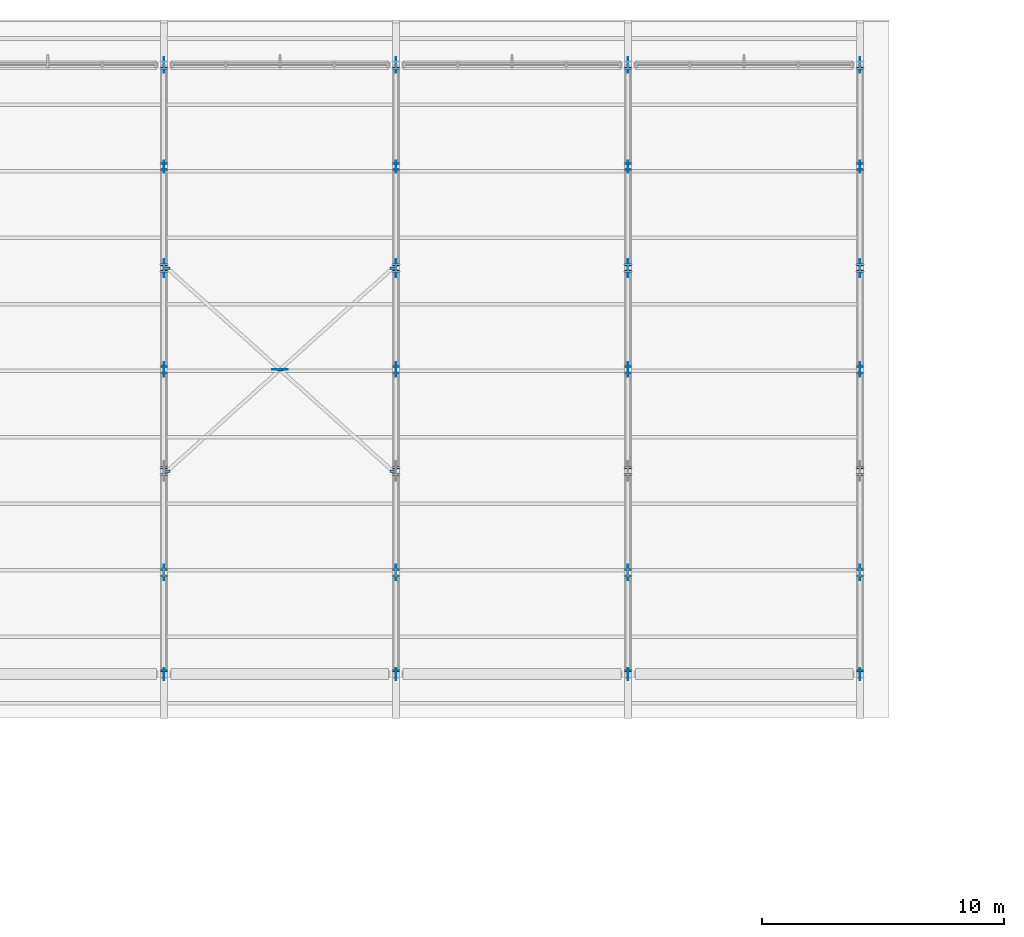
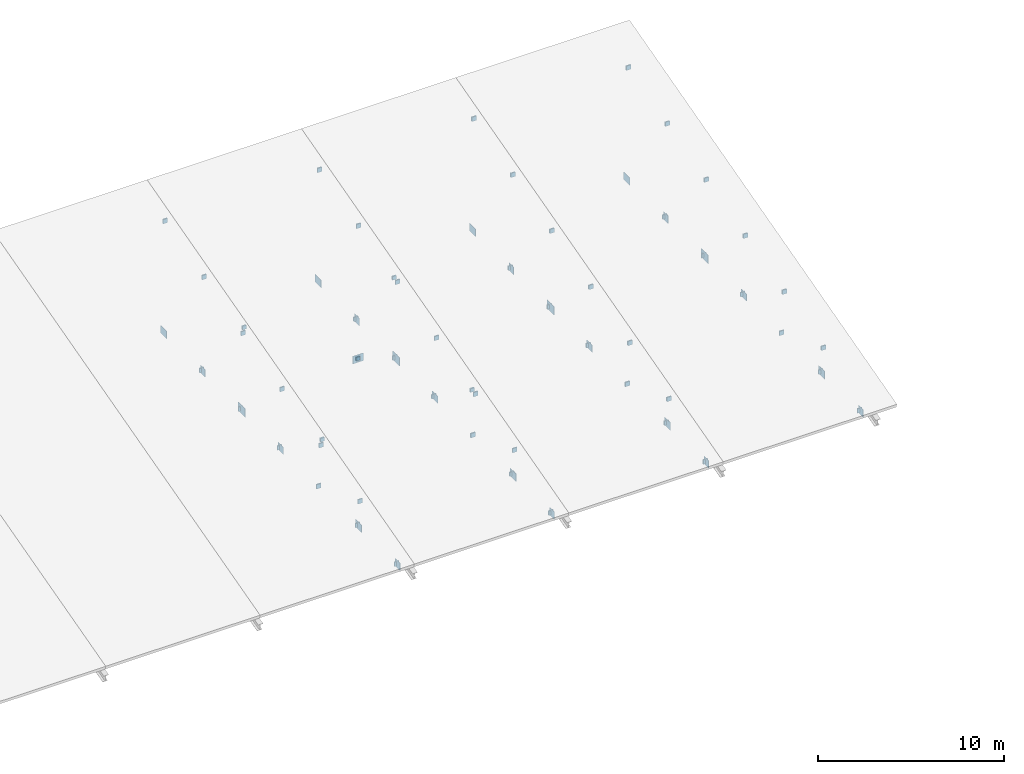
# One storey, part 25 of 37: 79 plates.
"""IFC4 building model written with IfcOpenShell, lengths in metres."""

from ifc_helpers import new_model, si_unit, direction, frame, origin, origin_2d, place, context, subcontext, project, spatial, rectangle, extrude, material, layer, layer_set, type_object, element, save


model = new_model("IFC4")

# Units and contexts
model_context = context("Model", 3, precision=1e-05, world=origin(), true_north=direction((0.0, 1.0)))
body_context = subcontext(model_context, "Body", "Model", "MODEL_VIEW")
ifc_project = project(units=[si_unit("LENGTHUNIT", "METRE"), si_unit("AREAUNIT", "SQUARE_METRE"), si_unit("VOLUMEUNIT", "CUBIC_METRE"), si_unit("PLANEANGLEUNIT", "RADIAN"), si_unit("MASSUNIT", "GRAM", prefix="KILO")], contexts=[model_context])

# Site, building, storey
site_placement = place(None, origin())
site = spatial("IfcSite", under=ifc_project, at=site_placement, CompositionType="ELEMENT")
building_placement = place(site_placement, origin())
building = spatial("IfcBuilding", under=site, at=building_placement, Name="Shalvenor Court Art Gallery", CompositionType="ELEMENT")
storey_placement = place(building_placement, frame((0.0, 0.0, 22.199951171875)))
storey = spatial("IfcBuildingStorey", under=building, at=storey_placement, Name="L04", CompositionType="ELEMENT", Elevation=22.199951171875)

# Plates
ifc_material_1 = material(Name="Steel S355", Category="steel")
ifc_layer_1 = layer(ifc_material_1, 0.02001953125, Name="Steel S355")
ifc_layer_set_1 = layer_set([ifc_layer_1], Name="Steel S355")
plate_type_1 = type_object("IfcPlateType", Name="EP-01", PredefinedType="USERDEFINED", material=ifc_layer_set_1)
for number, where, z_axis, x_axis, name in (
    (1, (96.0, 97.340087890625, -1.27490234375), (0.0, 0.0, 1.0), (1.0, 0.0, 0.0), "Truss End Cap Stiffener PLT-CAP-0084"),
    (2, (96.0, 101.260009765625, 0.45654296875), (0.0, 0.0, 1.0), (1.0, 0.0, 0.0), "Truss End Cap Stiffener PLT-CAP-0085"),
    (3, (96.0, 101.5400390625, -1.27490234375), (0.0, 0.0, 1.0), (1.0, 0.0, 0.0), "Truss End Cap Stiffener PLT-CAP-0086"),
    (4, (96.0, 105.4599609375, 1.59423828125), (0.0, 0.0, 1.0), (1.0, 0.0, 0.0), "Truss End Cap Stiffener PLT-CAP-0087"),
    (5, (96.0, 105.739990234375, -1.27490234375), (0.0, 0.0, 1.0), (1.0, 0.0, 0.0), "Truss End Cap Stiffener PLT-CAP-0088"),
    (6, (96.0, 109.659912109375, 2.73193359375), (0.0, 0.0, 1.0), (1.0, 0.0, 0.0), "Truss End Cap Stiffener PLT-CAP-0089"),
    (7, (96.0, 109.93994140625, -1.27490234375), (0.0, 0.0, 1.0), (1.0, 0.0, 0.0), "Truss End Cap Stiffener PLT-CAP-0090"),
    (8, (96.0, 113.860107421875, 3.869140625), (0.0, 0.0, 1.0), (1.0, 0.0, 0.0), "Truss End Cap Stiffener PLT-CAP-0091"),
    (9, (96.0, 114.139892578125, -1.27490234375), (0.0, 0.0, 1.0), (1.0, 0.0, 0.0), "Truss End Cap Stiffener PLT-CAP-0092"),
    (10, (96.0, 118.06005859375, 5.0068359375), (0.0, 0.0, 1.0), (1.0, 0.0, 0.0), "Truss End Cap Stiffener PLT-CAP-0093"),
    (11, (96.0, 118.340087890625, -1.27490234375), (0.0, 0.0, 1.0), (1.0, 0.0, 0.0), "Truss End Cap Stiffener PLT-CAP-0094"),
    (12, (96.0, 122.260009765625, 6.14404296875), (0.0, 0.0, 1.0), (1.0, 0.0, 0.0), "Truss End Cap Stiffener PLT-CAP-0095"),
    (13, (105.60009765625, 97.340087890625, -1.27490234375), (0.0, 0.0, 1.0), (1.0, 0.0, 0.0), "Truss End Cap Stiffener PLT-CAP-0103"),
    (14, (105.60009765625, 101.260009765625, 0.45654296875), (0.0, 0.0, 1.0), (1.0, 0.0, 0.0), "Truss End Cap Stiffener PLT-CAP-0104"),
    (15, (105.60009765625, 101.5400390625, -1.27490234375), (0.0, 0.0, 1.0), (1.0, 0.0, 0.0), "Truss End Cap Stiffener PLT-CAP-0105"),
    (16, (105.60009765625, 105.4599609375, 1.59423828125), (0.0, 0.0, 1.0), (1.0, 0.0, 0.0), "Truss End Cap Stiffener PLT-CAP-0106"),
    (17, (105.60009765625, 105.739990234375, -1.27490234375), (0.0, 0.0, 1.0), (1.0, 0.0, 0.0), "Truss End Cap Stiffener PLT-CAP-0107"),
    (18, (105.60009765625, 109.659912109375, 2.73193359375), (0.0, 0.0, 1.0), (1.0, 0.0, 0.0), "Truss End Cap Stiffener PLT-CAP-0108"),
    (19, (105.60009765625, 109.93994140625, -1.27490234375), (0.0, 0.0, 1.0), (1.0, 0.0, 0.0), "Truss End Cap Stiffener PLT-CAP-0109"),
    (20, (105.60009765625, 113.860107421875, 3.869140625), (0.0, 0.0, 1.0), (1.0, 0.0, 0.0), "Truss End Cap Stiffener PLT-CAP-0110"),
    (21, (105.60009765625, 114.139892578125, -1.27490234375), (0.0, 0.0, 1.0), (1.0, 0.0, 0.0), "Truss End Cap Stiffener PLT-CAP-0111"),
    (22, (105.60009765625, 118.06005859375, 5.0068359375), (0.0, 0.0, 1.0), (1.0, 0.0, 0.0), "Truss End Cap Stiffener PLT-CAP-0112"),
    (23, (105.60009765625, 118.340087890625, -1.27490234375), (0.0, 0.0, 1.0), (1.0, 0.0, 0.0), "Truss End Cap Stiffener PLT-CAP-0113"),
    (24, (105.60009765625, 122.260009765625, 6.14404296875), (0.0, 0.0, 1.0), (1.0, 0.0, 0.0), "Truss End Cap Stiffener PLT-CAP-0114"),
    (25, (115.199951171875, 97.340087890625, -1.27490234375), (0.0, 0.0, 1.0), (1.0, 0.0, 0.0), "Truss End Cap Stiffener PLT-CAP-0122"),
    (26, (115.199951171875, 101.260009765625, 0.45654296875), (0.0, 0.0, 1.0), (1.0, 0.0, 0.0), "Truss End Cap Stiffener PLT-CAP-0123"),
    (27, (115.199951171875, 101.5400390625, -1.27490234375), (0.0, 0.0, 1.0), (1.0, 0.0, 0.0), "Truss End Cap Stiffener PLT-CAP-0124"),
    (28, (115.199951171875, 105.4599609375, 1.59423828125), (0.0, 0.0, 1.0), (1.0, 0.0, 0.0), "Truss End Cap Stiffener PLT-CAP-0125"),
    (29, (115.199951171875, 105.739990234375, -1.27490234375), (0.0, 0.0, 1.0), (1.0, 0.0, 0.0), "Truss End Cap Stiffener PLT-CAP-0126"),
    (30, (115.199951171875, 109.659912109375, 2.73193359375), (0.0, 0.0, 1.0), (1.0, 0.0, 0.0), "Truss End Cap Stiffener PLT-CAP-0127"),
    (31, (115.199951171875, 109.93994140625, -1.27490234375), (0.0, 0.0, 1.0), (1.0, 0.0, 0.0), "Truss End Cap Stiffener PLT-CAP-0128"),
    (32, (115.199951171875, 113.860107421875, 3.869140625), (0.0, 0.0, 1.0), (1.0, 0.0, 0.0), "Truss End Cap Stiffener PLT-CAP-0129"),
    (33, (115.199951171875, 114.139892578125, -1.27490234375), (0.0, 0.0, 1.0), (1.0, 0.0, 0.0), "Truss End Cap Stiffener PLT-CAP-0130"),
    (34, (115.199951171875, 118.06005859375, 5.0068359375), (0.0, 0.0, 1.0), (1.0, 0.0, 0.0), "Truss End Cap Stiffener PLT-CAP-0131"),
    (35, (115.199951171875, 118.340087890625, -1.27490234375), (0.0, 0.0, 1.0), (1.0, 0.0, 0.0), "Truss End Cap Stiffener PLT-CAP-0132"),
    (36, (115.199951171875, 122.260009765625, 6.14404296875), (0.0, 0.0, 1.0), (1.0, 0.0, 0.0), "Truss End Cap Stiffener PLT-CAP-0133"),
    (37, (124.800048828125, 97.340087890625, -1.27490234375), (0.0, 0.0, 1.0), (1.0, 0.0, 0.0), "Truss End Cap Stiffener PLT-CAP-0141"),
    (38, (124.800048828125, 101.260009765625, 0.45654296875), (0.0, 0.0, 1.0), (1.0, 0.0, 0.0), "Truss End Cap Stiffener PLT-CAP-0142"),
    (39, (124.800048828125, 101.5400390625, -1.27490234375), (0.0, 0.0, 1.0), (1.0, 0.0, 0.0), "Truss End Cap Stiffener PLT-CAP-0143"),
    (40, (124.800048828125, 105.4599609375, 1.59423828125), (0.0, 0.0, 1.0), (1.0, 0.0, 0.0), "Truss End Cap Stiffener PLT-CAP-0144"),
    (41, (124.800048828125, 105.739990234375, -1.27490234375), (0.0, 0.0, 1.0), (1.0, 0.0, 0.0), "Truss End Cap Stiffener PLT-CAP-0145"),
    (42, (124.800048828125, 109.659912109375, 2.73193359375), (0.0, 0.0, 1.0), (1.0, 0.0, 0.0), "Truss End Cap Stiffener PLT-CAP-0146"),
    (43, (124.800048828125, 109.93994140625, -1.27490234375), (0.0, 0.0, 1.0), (1.0, 0.0, 0.0), "Truss End Cap Stiffener PLT-CAP-0147"),
    (44, (124.800048828125, 113.860107421875, 3.869140625), (0.0, 0.0, 1.0), (1.0, 0.0, 0.0), "Truss End Cap Stiffener PLT-CAP-0148"),
    (45, (124.800048828125, 114.139892578125, -1.27490234375), (0.0, 0.0, 1.0), (1.0, 0.0, 0.0), "Truss End Cap Stiffener PLT-CAP-0149"),
    (46, (124.800048828125, 118.06005859375, 5.0068359375), (0.0, 0.0, 1.0), (1.0, 0.0, 0.0), "Truss End Cap Stiffener PLT-CAP-0150"),
    (47, (124.800048828125, 118.340087890625, -1.27490234375), (0.0, 0.0, 1.0), (1.0, 0.0, 0.0), "Truss End Cap Stiffener PLT-CAP-0151"),
    (48, (124.800048828125, 122.260009765625, 6.14404296875), (0.0, 0.0, 1.0), (1.0, 0.0, 0.0), "Truss End Cap Stiffener PLT-CAP-0152"),
):
    element("IfcPlate", number, at=place(storey_placement, frame(where, z_axis=z_axis, x_axis=x_axis)), inside=storey, type_object=plate_type_1, Name=name, ObjectType="STIFFENER PLATE", PredefinedType="USERDEFINED", context=body_context, shape_type="SweptSolid", body=[
        extrude(rectangle(XDim=0.280029296875, YDim=0.080078125, at=origin_2d()), origin(), (0.0, 0.0, 1.0), 0.280029296875),
    ])
ifc_material_2 = material(Name="Steel S355", Category="steel")
ifc_layer_2 = layer(ifc_material_2, 0.01806640625, Name="Steel S355")
ifc_layer_set_2 = layer_set([ifc_layer_2], Name="Steel S355")
plate_type_2 = type_object("IfcPlateType", Name="EP-03", PredefinedType="USERDEFINED", material=ifc_layer_set_2)
for number, where, z_axis, x_axis, name in (
    (49, (96.135009765625, 105.60009765625, 1.84912109375), (0.0, 0.0, 1.0), (1.0, 0.0, 0.0), "Brace End Cap Stiffener PLT-CAP-0161"),
    (50, (105.465087890625, 114.0, 4.1240234375), (0.0, 0.0, 1.0), (1.0, 0.0, 0.0), "Brace End Cap Stiffener PLT-CAP-0162"),
    (51, (105.465087890625, 105.60009765625, 1.84912109375), (0.0, 0.0, 1.0), (1.0, 0.0, 0.0), "Brace End Cap Stiffener PLT-CAP-0163"),
    (52, (100.814697265625, 109.786865234375, 2.98291015625), (0.0, 0.0, 1.0), (1.0, 0.0, 0.0), "Brace End Cap Stiffener PLT-CAP-0164"),
    (53, (100.785400390625, 109.813232421875, 2.990234375), (0.0, 0.0, 1.0), (1.0, 0.0, 0.0), "Brace End Cap Stiffener PLT-CAP-0165"),
    (54, (96.135009765625, 114.0, 4.1240234375), (0.0, 0.0, 1.0), (1.0, 0.0, 0.0), "Brace End Cap Stiffener PLT-CAP-0166"),
):
    element("IfcPlate", number, at=place(storey_placement, frame(where, z_axis=z_axis, x_axis=x_axis)), inside=storey, type_object=plate_type_2, Name=name, ObjectType="STIFFENER PLATE", PredefinedType="USERDEFINED", context=body_context, shape_type="SweptSolid", body=[
        extrude(rectangle(XDim=0.239990234375, YDim=0.10009765625, at=origin_2d()), origin(), (0.0, 0.0, 1.0), 0.239990234375),
    ])
ifc_material_3 = material(Name="Steel S355", Category="steel")
ifc_layer_3 = layer(ifc_material_3, 0.02392578125, Name="Steel S355")
ifc_layer_set_3 = layer_set([ifc_layer_3], Name="Steel S355")
plate_type_3 = type_object("IfcPlateType", Name="GP-01", PredefinedType="SHEET", material=ifc_layer_set_3)
for number, where, z_axis, x_axis, name in (
    (55, (96.0, 97.199951171875, -1.375), (0.0, 0.0, 1.0), (0.0, 1.0, 0.0), "TN-01 Truss Gusset Plate PLT-GUS-0077"),
    (56, (96.0, 118.199951171875, -1.375), (0.0, 0.0, 1.0), (0.0, 1.0, 0.0), "TN-02 Truss Gusset Plate PLT-GUS-0082"),
    (57, (105.60009765625, 97.199951171875, -1.375), (0.0, 0.0, 1.0), (0.0, 1.0, 0.0), "TN-01 Truss Gusset Plate PLT-GUS-0096"),
    (58, (105.60009765625, 118.199951171875, -1.375), (0.0, 0.0, 1.0), (0.0, 1.0, 0.0), "TN-02 Truss Gusset Plate PLT-GUS-0101"),
    (59, (115.199951171875, 97.199951171875, -1.375), (0.0, 0.0, 1.0), (0.0, 1.0, 0.0), "TN-01 Truss Gusset Plate PLT-GUS-0115"),
    (60, (115.199951171875, 118.199951171875, -1.375), (0.0, 0.0, 1.0), (0.0, 1.0, 0.0), "TN-02 Truss Gusset Plate PLT-GUS-0120"),
    (61, (124.800048828125, 97.199951171875, -1.375), (0.0, 0.0, 1.0), (0.0, 1.0, 0.0), "TN-01 Truss Gusset Plate PLT-GUS-0134"),
    (62, (124.800048828125, 118.199951171875, -1.375), (0.0, 0.0, 1.0), (0.0, 1.0, 0.0), "TN-02 Truss Gusset Plate PLT-GUS-0139"),
):
    element("IfcPlate", number, at=place(storey_placement, frame(where, z_axis=z_axis, x_axis=x_axis)), inside=storey, type_object=plate_type_3, Name=name, PredefinedType="SHEET", context=body_context, shape_type="SweptSolid", body=[
        extrude(rectangle(XDim=0.5, YDim=0.02392578125, at=origin_2d()), origin(), (0.0, 0.0, 1.0), 0.5),
    ])
ifc_material_4 = material(Name="Steel S355", Category="steel")
ifc_layer_4 = layer(ifc_material_4, 0.02392578125, Name="Steel S355")
ifc_layer_set_4 = layer_set([ifc_layer_4], Name="Steel S355")
plate_type_4 = type_object("IfcPlateType", Name="GP-02", PredefinedType="SHEET", material=ifc_layer_set_4)
for number, where, z_axis, x_axis, name in (
    (63, (96.0, 101.39990234375, -1.375), (0.0, 0.0, 1.0), (0.0, 1.0, 0.0), "TN-02 Truss Gusset Plate PLT-GUS-0078"),
    (64, (96.0, 122.39990234375, -1.375), (0.0, 0.0, 1.0), (0.0, 1.0, 0.0), "TN-03 Truss Gusset Plate PLT-GUS-0083"),
    (65, (105.60009765625, 101.39990234375, -1.375), (0.0, 0.0, 1.0), (0.0, 1.0, 0.0), "TN-02 Truss Gusset Plate PLT-GUS-0097"),
    (66, (105.60009765625, 122.39990234375, -1.375), (0.0, 0.0, 1.0), (0.0, 1.0, 0.0), "TN-03 Truss Gusset Plate PLT-GUS-0102"),
    (67, (115.199951171875, 101.39990234375, -1.375), (0.0, 0.0, 1.0), (0.0, 1.0, 0.0), "TN-02 Truss Gusset Plate PLT-GUS-0116"),
    (68, (115.199951171875, 122.39990234375, -1.375), (0.0, 0.0, 1.0), (0.0, 1.0, 0.0), "TN-03 Truss Gusset Plate PLT-GUS-0121"),
    (69, (124.800048828125, 101.39990234375, -1.375), (0.0, 0.0, 1.0), (0.0, 1.0, 0.0), "TN-02 Truss Gusset Plate PLT-GUS-0135"),
    (70, (124.800048828125, 122.39990234375, -1.375), (0.0, 0.0, 1.0), (0.0, 1.0, 0.0), "TN-03 Truss Gusset Plate PLT-GUS-0140"),
    (71, (100.800048828125, 109.800048828125, 2.856689453125), (0.0, 0.0, 1.0), (1.0, 0.0, 0.0), "X-Brace Crossing Node Gusset PLT-XND-0160"),
):
    element("IfcPlate", number, at=place(storey_placement, frame(where, z_axis=z_axis, x_axis=x_axis)), inside=storey, type_object=plate_type_4, Name=name, PredefinedType="SHEET", context=body_context, shape_type="SweptSolid", body=[
        extrude(rectangle(XDim=0.64990234375, YDim=0.02392578125, at=origin_2d()), origin(), (0.0, 0.0, 1.0), 0.5),
    ])
ifc_material_5 = material(Name="Steel S355", Category="steel")
ifc_layer_5 = layer(ifc_material_5, 0.02197265625, Name="Steel S355")
ifc_layer_set_5 = layer_set([ifc_layer_5], Name="Steel S355")
plate_type_5 = type_object("IfcPlateType", Name="GP-04", PredefinedType="SHEET", material=ifc_layer_set_5)
for number, where, z_axis, x_axis, name in (
    (72, (96.0, 109.800048828125, -1.35009765625), (0.0, 0.0, 1.0), (0.0, 1.0, 0.0), "TN-02 Truss Gusset Plate PLT-GUS-0080"),
    (73, (105.60009765625, 109.800048828125, -1.35009765625), (0.0, 0.0, 1.0), (0.0, 1.0, 0.0), "TN-02 Truss Gusset Plate PLT-GUS-0099"),
    (74, (115.199951171875, 109.800048828125, -1.35009765625), (0.0, 0.0, 1.0), (0.0, 1.0, 0.0), "TN-02 Truss Gusset Plate PLT-GUS-0118"),
    (75, (124.800048828125, 109.800048828125, -1.35009765625), (0.0, 0.0, 1.0), (0.0, 1.0, 0.0), "TN-02 Truss Gusset Plate PLT-GUS-0137"),
):
    element("IfcPlate", number, at=place(storey_placement, frame(where, z_axis=z_axis, x_axis=x_axis)), inside=storey, type_object=plate_type_5, Name=name, PredefinedType="SHEET", context=body_context, shape_type="SweptSolid", body=[
        extrude(rectangle(XDim=0.60009765625, YDim=0.02197265625, at=origin_2d()), origin(), (0.0, 0.0, 1.0), 0.449951171875),
    ])
ifc_material_6 = material(Name="Steel S355", Category="steel")
ifc_layer_6 = layer(ifc_material_6, 0.028076171875, Name="Steel S355")
ifc_layer_set_6 = layer_set([ifc_layer_6], Name="Steel S355")
plate_type_6 = type_object("IfcPlateType", Name="GP-05", PredefinedType="SHEET", material=ifc_layer_set_6)
for number, where, z_axis, x_axis, name in (
    (76, (96.0, 114.0, -1.39990234375), (0.0, 0.0, 1.0), (0.0, 1.0, 0.0), "TN-02 Truss Gusset Plate PLT-GUS-0081"),
    (77, (105.60009765625, 114.0, -1.39990234375), (0.0, 0.0, 1.0), (0.0, 1.0, 0.0), "TN-02 Truss Gusset Plate PLT-GUS-0100"),
    (78, (115.199951171875, 114.0, -1.39990234375), (0.0, 0.0, 1.0), (0.0, 1.0, 0.0), "TN-02 Truss Gusset Plate PLT-GUS-0119"),
    (79, (124.800048828125, 114.0, -1.39990234375), (0.0, 0.0, 1.0), (0.0, 1.0, 0.0), "TN-02 Truss Gusset Plate PLT-GUS-0138"),
):
    element("IfcPlate", number, at=place(storey_placement, frame(where, z_axis=z_axis, x_axis=x_axis)), inside=storey, type_object=plate_type_6, Name=name, PredefinedType="SHEET", context=body_context, shape_type="SweptSolid", body=[
        extrude(rectangle(XDim=0.75, YDim=0.028076171875, at=origin_2d()), origin(), (0.0, 0.0, 1.0), 0.550048828125),
    ])

save(model, "model.ifc")
